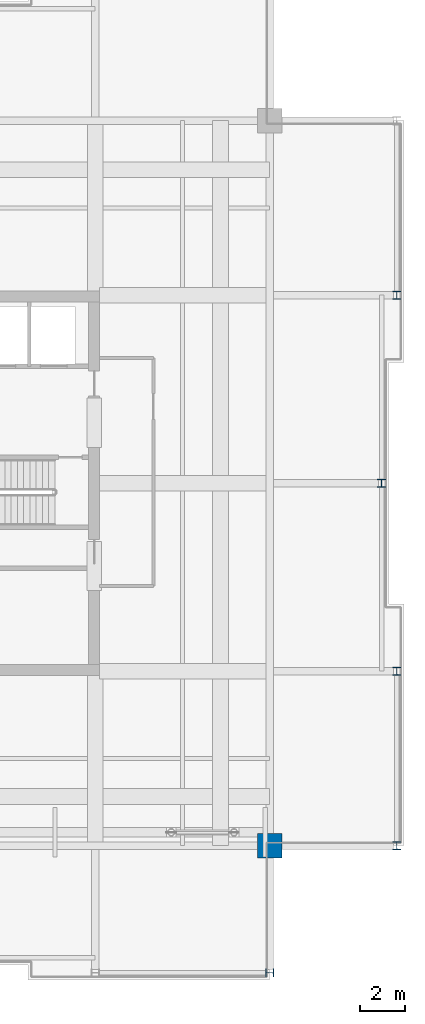
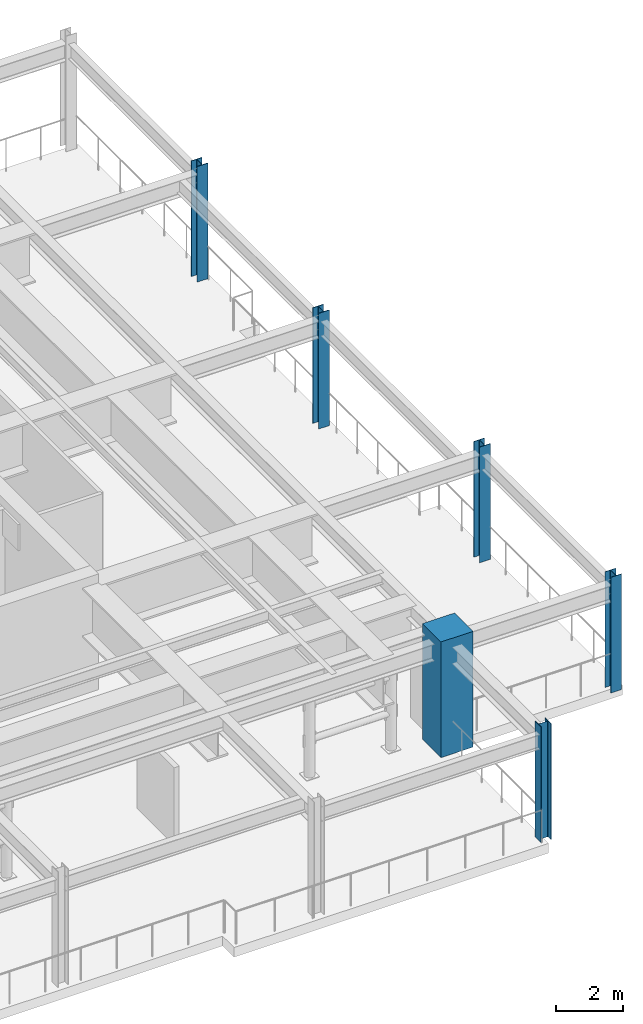
# One storey, part 2 of 12: 6 columns.
"""IFC4 building model written with IfcOpenShell, lengths in metres."""

from ifc_helpers import new_model, si_unit, direction, frame, origin, origin_2d, place, context, subcontext, project, spatial, rectangle, i_section, extrude, material, material_profile, profile_set, type_object, element, save


model = new_model("IFC4")

# Units and contexts
model_context = context("Model", 3, precision=1e-05, world=origin(), true_north=direction((0.0, 1.0)))
body_context = subcontext(model_context, "Body", "Model", "MODEL_VIEW")
ifc_project = project(units=[si_unit("LENGTHUNIT", "METRE"), si_unit("AREAUNIT", "SQUARE_METRE"), si_unit("VOLUMEUNIT", "CUBIC_METRE"), si_unit("PLANEANGLEUNIT", "RADIAN"), si_unit("MASSUNIT", "GRAM", prefix="KILO")], contexts=[model_context])

# Site, building, storey
site_placement = place(None, origin())
site = spatial("IfcSite", under=ifc_project, at=site_placement, CompositionType="ELEMENT")
building_placement = place(site_placement, origin())
building = spatial("IfcBuilding", under=site, at=building_placement, Name="Drelvath Grand Hotel", CompositionType="ELEMENT")
storey_placement = place(building_placement, frame((0.0, 0.0, 307.199951171875)))
storey = spatial("IfcBuildingStorey", under=building, at=storey_placement, Name="L80", CompositionType="ELEMENT", Elevation=307.199951171875)

# Columns
ifc_material_1 = material(Name="Concrete f'c 55 MPa", Category="concrete")
ifc_material_profile_1 = material_profile(ifc_material_1, rectangle(XDim=1.10009765625, YDim=1.10009765625, at=origin_2d()), Name="MC1100X1100")
ifc_profile_set_1 = profile_set([ifc_material_profile_1], Name="Concrete f'c 55 MPa")
column_type_1 = type_object("IfcColumnType", Name="Composite Mega Column MC1100X1100", PredefinedType="COLUMN", material=ifc_profile_set_1)
column_placement = place(storey_placement, frame((16.199951171875, 10.800048828125, 0.0), z_axis=(0.0, 0.0, 1.0), x_axis=(1.0, 0.0, 0.0)))
element("IfcColumn", 1, at=column_placement, inside=storey, type_object=column_type_1, Name="L80 Composite Mega Column MC-SE", PredefinedType="COLUMN", context=body_context, shape_type="SweptSolid", body=[
    extrude(rectangle(XDim=1.10009765625, YDim=1.10009765625, at=origin_2d()), origin(), (0.0, 0.0, 1.0), 4.199951171875),
])
ifc_material_2 = material(Name="Steel ASTM A913 Gr 65", Category="steel")
ifc_material_profile_2 = material_profile(ifc_material_2, i_section(OverallWidth=0.368896484375, OverallDepth=0.356201171875, WebThickness=0.01123046875, FlangeThickness=0.01806640625, FilletRadius=0.02490234375, at=origin_2d()), Name="W14X90")
ifc_profile_set_2 = profile_set([ifc_material_profile_2], Name="Steel ASTM A913 Gr 65")
column_type_2 = type_object("IfcColumnType", Name="Perimeter Steel Column W14X90", PredefinedType="COLUMN", material=ifc_profile_set_2)
for number, where, z_axis, x_axis, name in (
    (2, (21.8798828125, 10.800048828125, 0.0), (0.0, 0.0, 1.0), (1.0, 0.0, 0.0), "L80 Structural Column TCE-C"),
    (3, (21.8798828125, 18.60009765625, 0.0), (0.0, 0.0, 1.0), (1.0, 0.0, 0.0), "L80 Structural Column TCE-D"),
    (4, (21.199951171875, 27.0, 0.0), (0.0, 0.0, 1.0), (1.0, 0.0, 0.0), "L80 Structural Column TCE-E"),
    (5, (21.8798828125, 35.39990234375, 0.0), (0.0, 0.0, 1.0), (1.0, 0.0, 0.0), "L80 Structural Column TCE-F"),
    (6, (16.199951171875, 5.1201171875, 0.0), (0.0, 0.0, 1.0), (0.0, 1.0, 0.0), "L80 Structural Column TCS-7"),
):
    element("IfcColumn", number, at=place(storey_placement, frame(where, z_axis=z_axis, x_axis=x_axis)), inside=storey, type_object=column_type_2, Name=name, PredefinedType="COLUMN", context=body_context, shape_type="SweptSolid", body=[
        extrude(i_section(OverallWidth=0.368896484375, OverallDepth=0.356201171875, WebThickness=0.01123046875, FlangeThickness=0.01806640625, FilletRadius=0.02490234375, at=origin_2d()), origin(), (0.0, 0.0, 1.0), 4.197021484375),
    ])

save(model, "model.ifc")
